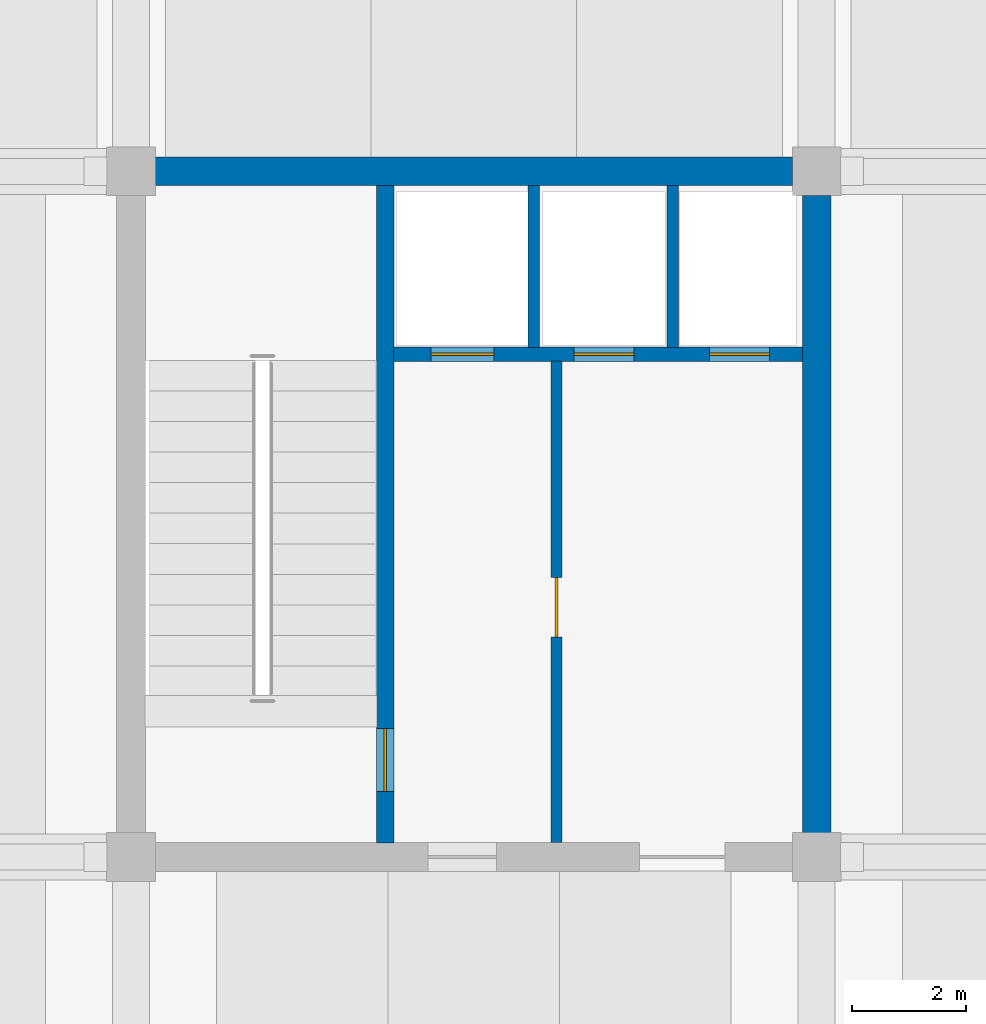
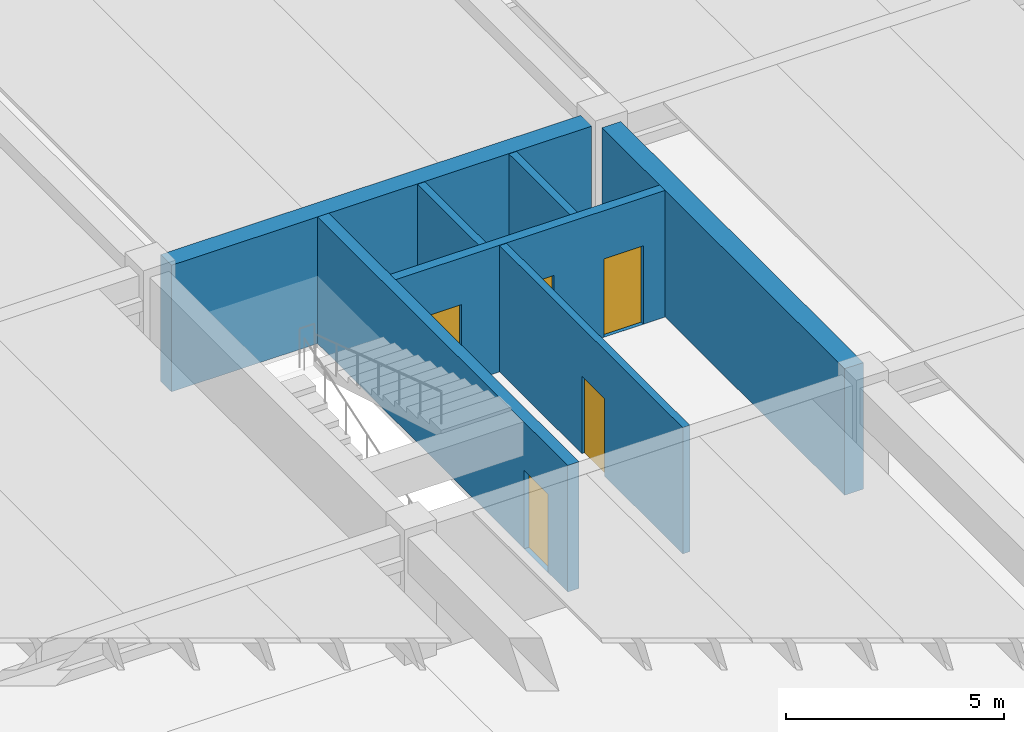
# One storey, part 9 of 16: 7 walls, 5 doors, 5 openings.
"""IFC4 building model written with IfcOpenShell, lengths in metres."""

from ifc_helpers import new_model, si_unit, direction, frame, frame_2d, origin, place, context, subcontext, project, spatial, rectangle, extrude, material, layer, layer_set, type_object, element, fill, save


model = new_model("IFC4")

# Units and contexts
model_context = context("Model", 3, precision=1e-05, world=origin(), true_north=direction((0.0, 1.0)))
body_context = subcontext(model_context, "Body", "Model", "MODEL_VIEW")
ifc_project = project(units=[si_unit("LENGTHUNIT", "METRE"), si_unit("AREAUNIT", "SQUARE_METRE"), si_unit("VOLUMEUNIT", "CUBIC_METRE"), si_unit("PLANEANGLEUNIT", "RADIAN"), si_unit("MASSUNIT", "GRAM", prefix="KILO")], contexts=[model_context])

# Site, building, storey
site_placement = place(None, origin())
site = spatial("IfcSite", under=ifc_project, at=site_placement, CompositionType="ELEMENT")
building_placement = place(site_placement, origin())
building = spatial("IfcBuilding", under=site, at=building_placement, Name="Girod Span Mobility Hub", CompositionType="ELEMENT")
storey_placement = place(building_placement, frame((0.0, 0.0, 28.60009765625)))
storey = spatial("IfcBuildingStorey", under=building, at=storey_placement, Name="L07", CompositionType="ELEMENT", Elevation=28.60009765625)

# Walls
ifc_material_1 = material(Name="Concrete C40/50", Category="concrete")
ifc_layer_1 = layer(ifc_material_1, 0.5)
ifc_layer_set_1 = layer_set([ifc_layer_1], Name="Concrete C40/50")
wall_type_1 = type_object("IfcWallType", Name="W-CW-500", PredefinedType="SHEAR", material=ifc_layer_set_1)
for number, where, z_axis, x_axis, name in (
    (1, (108.422119140625, 69.0, 0.0), (0.0, 0.0, 1.0), (1.0, 0.0, 0.0), "Core C2 Shear Wall N L07"),
    (2, (120.0, 57.422119140625, 0.0), (0.0, 0.0, 1.0), (0.0, 1.0, 0.0), "Core C2 Shear Wall E L07"),
):
    element("IfcWall", number, at=place(storey_placement, frame(where, z_axis=z_axis, x_axis=x_axis)), inside=storey, type_object=wall_type_1, Name=name, PredefinedType="SHEAR", context=body_context, shape_type="SweptSolid", body=[
        extrude(rectangle(XDim=11.15576171875, YDim=0.5, at=frame_2d((5.577880859375, 0.0))), origin(), (0.0, 0.0, 1.0), 3.552978515625),
    ])

# Wall, opening, door
ifc_material_2 = material(Name="Concrete C40/50", Category="concrete")
ifc_layer_2 = layer(ifc_material_2, 0.18994140625)
ifc_layer_set_2 = layer_set([ifc_layer_2], Name="Concrete C40/50")
wall_type_2 = type_object("IfcWallType", Name="W-FL-190", PredefinedType="SOLIDWALL", material=ifc_layer_set_2)
wall_1_placement = place(storey_placement, frame((115.449951171875, 57.25, 0.0), z_axis=(0.0, 0.0, 1.0), x_axis=(0.0, 1.0, 0.0)))
wall_1 = element("IfcWall", 3, at=wall_1_placement, inside=storey, type_object=wall_type_2, Name="Core C2 Firefighting Lobby Wall L07", PredefinedType="SOLIDWALL", context=body_context, shape_type="SweptSolid", body=[
    extrude(rectangle(XDim=8.429931640625, YDim=0.18994140625, at=frame_2d((4.21484375, 0.0))), origin(), (0.0, 0.0, 1.0), 3.54296875),
])
opening_1_placement = place(wall_1_placement, frame((3.60009765625, 0.0, 0.0)))
opening_1 = element("IfcOpeningElement", 4, at=opening_1_placement, cuts=wall_1, Name="Opening D-FLX-C2-L07", PredefinedType="OPENING", context=body_context, shape_type="SweptSolid", body=[
    extrude(rectangle(XDim=1.0400390625, YDim=2.179931640625, at=frame_2d((0.52001953125, 1.08984375))), frame((0.0, 0.10986328125, 0.0), z_axis=(0.0, -1.0, 0.0), x_axis=(1.0, 0.0, 0.0)), (0.0, 0.0, 1.0), 0.219970703125),
])
ifc_material_3 = material(Name="Fire-Rated Insulated Hollow Metal Steel", Category="steel")
door_type_1 = type_object("IfcDoorType", Name="DT-FD-02", OperationType="NOTDEFINED", PredefinedType="DOOR", material=ifc_material_3)
door_1_placement = place(opening_1_placement, origin())
door_1 = element("IfcDoor", 5, at=door_1_placement, inside=storey, type_object=door_type_1, Name="Firefighting Lobby Interconnect Door C2 L07", OperationType="SINGLE_SWING_RIGHT", OverallHeight=2.179931640625, OverallWidth=1.0400390625, PredefinedType="DOOR", context=body_context, shape_type="SweptSolid", body=[
    extrude(rectangle(XDim=1.0400390625, YDim=2.179931640625, at=frame_2d((0.52001953125, 1.08984375))), frame((0.0, 0.02490234375, 0.0), z_axis=(0.0, -1.0, 0.0), x_axis=(1.0, 0.0, 0.0)), (0.0, 0.0, 1.0), 0.050048828125),
])
fill(opening_1, door_1)

# Walls
ifc_material_4 = material(Name="Concrete C40/50", Category="concrete")
ifc_layer_3 = layer(ifc_material_4, 0.199951171875)
ifc_layer_set_3 = layer_set([ifc_layer_3], Name="Concrete C40/50")
wall_type_3 = type_object("IfcWallType", Name="W-SH-200", PredefinedType="SOLIDWALL", material=ifc_layer_set_3)
for number, where, z_axis, x_axis, name in (
    (6, (115.050048828125, 65.919921875, 0.0), (0.0, 0.0, 1.0), (0.0, 1.0, 0.0), "Core C2 Shaft Divider 1 L07"),
    (7, (117.47998046875, 65.919921875, 0.0), (0.0, 0.0, 1.0), (0.0, 1.0, 0.0), "Core C2 Shaft Divider 2 L07"),
):
    element("IfcWall", number, at=place(storey_placement, frame(where, z_axis=z_axis, x_axis=x_axis)), inside=storey, type_object=wall_type_3, Name=name, PredefinedType="SOLIDWALL", context=body_context, shape_type="SweptSolid", body=[
        extrude(rectangle(XDim=2.830078125, YDim=0.199951171875, at=frame_2d((1.4150390625, 0.0))), origin(), (0.0, 0.0, 1.0), 3.54296875),
    ])

# Wall, openings, doors
ifc_material_5 = material(Name="Concrete C40/50", Category="concrete")
ifc_layer_4 = layer(ifc_material_5, 0.25)
ifc_layer_set_4 = layer_set([ifc_layer_4], Name="Concrete C40/50")
wall_type_4 = type_object("IfcWallType", Name="W-SH-250", PredefinedType="SOLIDWALL", material=ifc_layer_set_4)
wall_2_placement = place(storey_placement, frame((112.596923828125, 65.800048828125, 0.0), z_axis=(0.0, 0.0, 1.0), x_axis=(1.0, 0.0, 0.0)))
wall_2 = element("IfcWall", 8, at=wall_2_placement, inside=storey, type_object=wall_type_4, Name="Core C2 Hoistway Front Wall L07", PredefinedType="SOLIDWALL", context=body_context, shape_type="SweptSolid", body=[
    extrude(rectangle(XDim=7.156005859375, YDim=0.25, at=frame_2d((3.578125, 0.0))), origin(), (0.0, 0.0, 1.0), 3.552978515625),
])
opening_2_placement = place(wall_2_placement, frame((0.653076171875, 0.0, 0.0)))
opening_2 = element("IfcOpeningElement", 9, at=opening_2_placement, cuts=wall_2, Name="Opening LD-FL-2-L07", PredefinedType="OPENING", context=body_context, shape_type="SweptSolid", body=[
    extrude(rectangle(XDim=1.10009765625, YDim=2.239990234375, at=frame_2d((0.550048828125, 1.1201171875))), frame((0.0, 0.139892578125, 0.0), z_axis=(0.0, -1.0, 0.0), x_axis=(1.0, 0.0, 0.0)), (0.0, 0.0, 1.0), 0.280029296875),
])
opening_3_placement = place(wall_2_placement, frame((3.153076171875, 0.0, 0.0)))
opening_3 = element("IfcOpeningElement", 10, at=opening_3_placement, cuts=wall_2, Name="Opening LD-LP-3-L07", PredefinedType="OPENING", context=body_context, shape_type="SweptSolid", body=[
    extrude(rectangle(XDim=1.050048828125, YDim=2.199951171875, at=frame_2d((0.52490234375, 1.10009765625))), frame((0.0, 0.139892578125, 0.0), z_axis=(0.0, -1.0, 0.0), x_axis=(1.0, 0.0, 0.0)), (0.0, 0.0, 1.0), 0.280029296875),
])
opening_4_placement = place(wall_2_placement, frame((5.528076171875, 0.0, 0.0)))
opening_4 = element("IfcOpeningElement", 11, at=opening_4_placement, cuts=wall_2, Name="Opening LD-LP-4-L07", PredefinedType="OPENING", context=body_context, shape_type="SweptSolid", body=[
    extrude(rectangle(XDim=1.050048828125, YDim=2.199951171875, at=frame_2d((0.52490234375, 1.10009765625))), frame((0.0, 0.139892578125, 0.0), z_axis=(0.0, -1.0, 0.0), x_axis=(1.0, 0.0, 0.0)), (0.0, 0.0, 1.0), 0.280029296875),
])
ifc_material_6 = material(Name="Brushed Stainless Steel Grade 304", Category="steel")
door_type_2 = type_object("IfcDoorType", Name="LD-FL-110", OperationType="SLIDING_TO_LEFT", PredefinedType="USERDEFINED", material=ifc_material_6)
door_2_placement = place(opening_2_placement, origin())
door_2 = element("IfcDoor", 12, at=door_2_placement, inside=storey, type_object=door_type_2, Name="Lift FL-2 Sliding Landing Door L07", ObjectType="LANDING DOOR", OperationType="SLIDING_TO_LEFT", OverallHeight=2.239990234375, OverallWidth=1.10009765625, PredefinedType="USERDEFINED", context=body_context, shape_type="SweptSolid", body=[
    extrude(rectangle(XDim=1.10009765625, YDim=2.239990234375, at=frame_2d((0.550048828125, 1.1201171875))), frame((0.0, 0.02490234375, 0.0), z_axis=(0.0, -1.0, 0.0), x_axis=(1.0, 0.0, 0.0)), (0.0, 0.0, 1.0), 0.050048828125),
])
fill(opening_2, door_2)
ifc_material_7 = material(Name="Brushed Stainless Steel Grade 304", Category="steel")
door_type_3 = type_object("IfcDoorType", Name="LD-LP-105", OperationType="SLIDING_TO_LEFT", PredefinedType="USERDEFINED", material=ifc_material_7)
door_3_placement = place(opening_3_placement, origin())
door_3 = element("IfcDoor", 13, at=door_3_placement, inside=storey, type_object=door_type_3, Name="Lift LP-3 Sliding Landing Door L07", ObjectType="LANDING DOOR", OperationType="SLIDING_TO_LEFT", OverallHeight=2.199951171875, OverallWidth=1.050048828125, PredefinedType="USERDEFINED", context=body_context, shape_type="SweptSolid", body=[
    extrude(rectangle(XDim=1.050048828125, YDim=2.199951171875, at=frame_2d((0.52490234375, 1.10009765625))), frame((0.0, 0.02490234375, 0.0), z_axis=(0.0, -1.0, 0.0), x_axis=(1.0, 0.0, 0.0)), (0.0, 0.0, 1.0), 0.050048828125),
])
fill(opening_3, door_3)
door_4_placement = place(opening_4_placement, origin())
door_4 = element("IfcDoor", 14, at=door_4_placement, inside=storey, type_object=door_type_3, Name="Lift LP-4 Sliding Landing Door L07", ObjectType="LANDING DOOR", OperationType="SLIDING_TO_LEFT", OverallHeight=2.199951171875, OverallWidth=1.050048828125, PredefinedType="USERDEFINED", context=body_context, shape_type="SweptSolid", body=[
    extrude(rectangle(XDim=1.050048828125, YDim=2.199951171875, at=frame_2d((0.52490234375, 1.10009765625))), frame((0.0, 0.02490234375, 0.0), z_axis=(0.0, -1.0, 0.0), x_axis=(1.0, 0.0, 0.0)), (0.0, 0.0, 1.0), 0.050048828125),
])
fill(opening_4, door_4)

# Wall, opening, door
ifc_material_8 = material(Name="Concrete C40/50", Category="concrete")
ifc_layer_5 = layer(ifc_material_8, 0.300048828125)
ifc_layer_set_5 = layer_set([ifc_layer_5], Name="Concrete C40/50")
wall_type_5 = type_object("IfcWallType", Name="W-SH-300", PredefinedType="SHEAR", material=ifc_layer_set_5)
wall_3_placement = place(storey_placement, frame((112.449951171875, 57.2470703125, 0.0), z_axis=(0.0, 0.0, 1.0), x_axis=(0.0, 1.0, 0.0)))
wall_3 = element("IfcWall", 15, at=wall_3_placement, inside=storey, type_object=wall_type_5, Name="Core C2 Stairwell Spine Wall L07", PredefinedType="SHEAR", context=body_context, shape_type="SweptSolid", body=[
    extrude(rectangle(XDim=11.505859375, YDim=0.300048828125, at=frame_2d((5.7529296875, 0.0))), origin(), (0.0, 0.0, 1.0), 3.552978515625),
])
opening_5_placement = place(wall_3_placement, frame((0.89990234375, 0.0, 0.0)))
opening_5 = element("IfcOpeningElement", 16, at=opening_5_placement, cuts=wall_3, Name="Opening D-ST-2-L07", PredefinedType="OPENING", context=body_context, shape_type="SweptSolid", body=[
    extrude(rectangle(XDim=1.10009765625, YDim=2.199951171875, at=frame_2d((0.550048828125, 1.10009765625))), frame((0.0, 0.1650390625, 0.0), z_axis=(0.0, -1.0, 0.0), x_axis=(1.0, 0.0, 0.0)), (0.0, 0.0, 1.0), 0.330078125),
])
ifc_material_9 = material(Name="Fire-Rated Insulated Hollow Metal Steel", Category="steel")
door_type_4 = type_object("IfcDoorType", Name="DT-FD-01", OperationType="NOTDEFINED", PredefinedType="DOOR", material=ifc_material_9)
door_5_placement = place(opening_5_placement, origin())
door_5 = element("IfcDoor", 17, at=door_5_placement, inside=storey, type_object=door_type_4, Name="Stair ST-2 Fire Door L07", OperationType="SINGLE_SWING_LEFT", OverallHeight=2.199951171875, OverallWidth=1.10009765625, PredefinedType="DOOR", context=body_context, shape_type="SweptSolid", body=[
    extrude(rectangle(XDim=1.10009765625, YDim=2.199951171875, at=frame_2d((0.550048828125, 1.10009765625))), frame((0.0, 0.02490234375, 0.0), z_axis=(0.0, -1.0, 0.0), x_axis=(1.0, 0.0, 0.0)), (0.0, 0.0, 1.0), 0.050048828125),
])
fill(opening_5, door_5)

save(model, "model.ifc")
